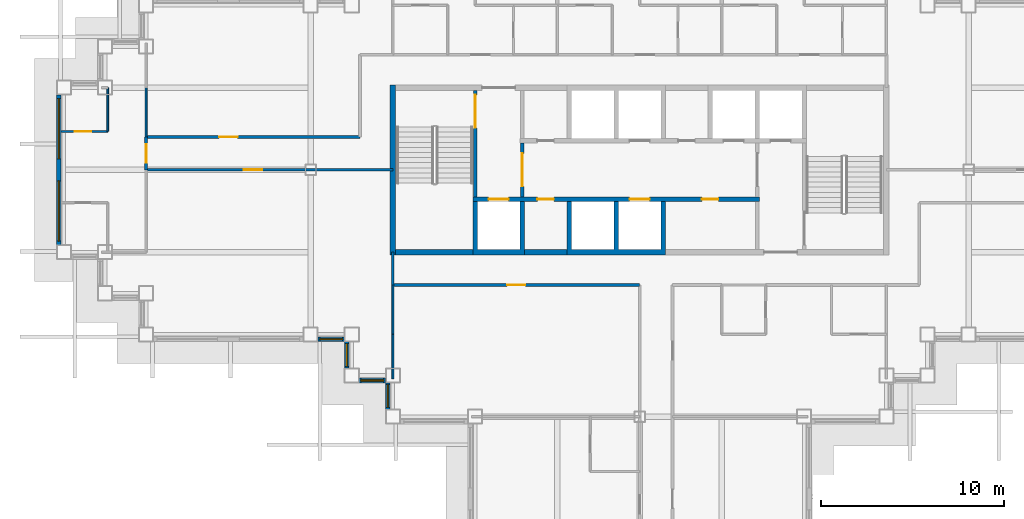
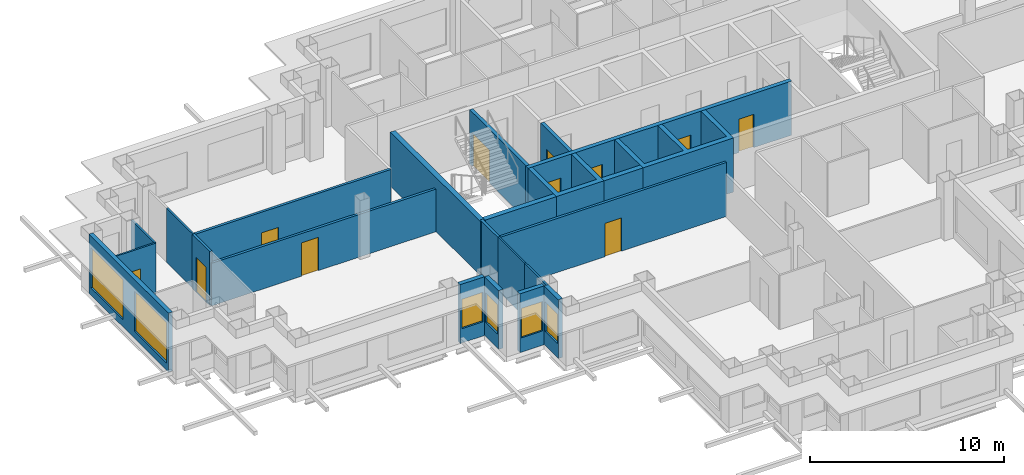
# One storey, part 4 of 14: 23 walls, 11 doors, 6 windows, 17 openings.
"""IFC4 building model written with IfcOpenShell, lengths in metres."""

import ifcopenshell
import ifcopenshell.guid

model = None  # the IFC model being written
_history = None  # IfcOwnerHistory: only IFC2X3 demands one
_inside = {}  # id of a spatial element -> (the spatial element, [elements in it])
_under = {}  # id of a project, library or spatial element -> (it, [spatial elements below it])
_declared = {}  # id of a project -> (the project, [libraries it declares])
_typed = {}  # id of a type object -> (the type object, [elements of that type])
_made_of = {}  # id of a material, layer set ... -> (it, [elements and type objects made of it])


def new_model(schema):
    """Start an empty IFC model of exactly this schema.

    Asked for "IFC4X3", IfcOpenShell would pick the latest addendum, in which some entities
    have other attributes; the version numbers below select the first issue.
    IFC2X3 requires an IfcOwnerHistory on every rooted entity: one is made here for all.
    """
    global model, _history
    if schema == "IFC4X3":
        model = ifcopenshell.file(schema_version=(4, 3, 0, 0))
    else:
        model = ifcopenshell.file(schema=schema)
    _inside.clear()
    _under.clear()
    _declared.clear()
    _typed.clear()
    _made_of.clear()
    _history = None
    if model.schema == "IFC2X3":
        org = make("IfcOrganization", Name="unknown")
        user = make(
            "IfcPersonAndOrganization",
            ThePerson=make("IfcPerson", FamilyName="unknown"),
            TheOrganization=org,
        )
        app = make(
            "IfcApplication",
            ApplicationDeveloper=org,
            Version="unknown",
            ApplicationFullName="unknown",
            ApplicationIdentifier="unknown",
        )
        _history = make(
            "IfcOwnerHistory",
            OwningUser=user,
            OwningApplication=app,
            ChangeAction="ADDED",
            CreationDate=0,
        )
    return model


def make(cls, **values):
    """One entity of the class cls with the attributes given. An attribute that is None is left unset."""
    return model.create_entity(
        cls, **{name: value for name, value in values.items() if value is not None}
    )


def rooted(cls, **values):
    """An entity with a GlobalId (a new one), such as an element, a storey or a relation."""
    return make(cls, GlobalId=ifcopenshell.guid.new(), OwnerHistory=_history, **values)


def si_unit(unit_type, name, prefix=None):
    """IfcSIUnit, for example si_unit("LENGTHUNIT", "METRE", prefix="MILLI")."""
    return make("IfcSIUnit", UnitType=unit_type, Prefix=prefix, Name=name)


def assignment(units):
    """IfcUnitAssignment: the units of a project."""
    return None if units is None else make("IfcUnitAssignment", Units=units)


def point(xyz):
    """IfcCartesianPoint."""
    return None if xyz is None else make("IfcCartesianPoint", Coordinates=xyz)


def direction(xyz):
    """IfcDirection."""
    return None if xyz is None else make("IfcDirection", DirectionRatios=xyz)


def frame(location, z_axis=None, x_axis=None):
    """IfcAxis2Placement3D, a coordinate frame: its origin and axes. An axis left out is left unset."""
    return make(
        "IfcAxis2Placement3D",
        Location=point(location),
        Axis=direction(z_axis),
        RefDirection=direction(x_axis),
    )


def frame_2d(location, x_axis=None):
    """IfcAxis2Placement2D, a coordinate frame in the plane: its origin and x axis."""
    return make(
        "IfcAxis2Placement2D", Location=point(location), RefDirection=direction(x_axis)
    )


def origin():
    """The frame at (0, 0, 0) with its axes left unset."""
    return frame((0.0, 0.0, 0.0))


def place(relative_to, where):
    """IfcLocalPlacement: puts the frame where relative to a parent placement (None: the world)."""
    return make(
        "IfcLocalPlacement", PlacementRelTo=relative_to, RelativePlacement=where
    )


def context(
    kind, dimensions, precision=None, world=None, true_north=None, identifier=None
):
    """IfcGeometricRepresentationContext, for example the 3D "Model" context."""
    return make(
        "IfcGeometricRepresentationContext",
        ContextIdentifier=identifier,
        ContextType=kind,
        CoordinateSpaceDimension=dimensions,
        Precision=precision,
        WorldCoordinateSystem=world,
        TrueNorth=true_north,
    )


def subcontext(parent, identifier, kind, view, scale=None):
    """IfcGeometricRepresentationSubContext, for example "Body" below "Model"."""
    return make(
        "IfcGeometricRepresentationSubContext",
        ContextIdentifier=identifier,
        ContextType=kind,
        ParentContext=parent,
        TargetScale=scale,
        TargetView=view,
    )


def project(units=None, contexts=None):
    """IfcProject with its units and contexts."""
    return rooted(
        "IfcProject",
        Name="project",
        RepresentationContexts=contexts,
        UnitsInContext=assignment(units),
    )


def spatial(cls, under=None, at=None, **own):
    """A site, building, storey or space (cls), placed at a placement, below another one or the project."""
    s = rooted(cls, ObjectPlacement=at, **own)
    if under is not None:
        _under.setdefault(under.id(), (under, []))[1].append(s)
    return s


def polyline(points):
    """IfcPolyline through the points."""
    return make("IfcPolyline", Points=[point(p) for p in points])


def profile(cls, at=None, kind="AREA", **sizes):
    """A parametric profile (cls). Its sizes go by their IFC names, for example OverallWidth=200.0."""
    return make(cls, ProfileType=kind, Position=at, **sizes)


def rectangle(**sizes):
    """IfcRectangleProfileDef."""
    return profile("IfcRectangleProfileDef", **sizes)


def outline(outer, holes=None, kind="AREA"):
    """IfcArbitraryClosedProfileDef: a profile drawn as a closed curve; with holes, ...WithVoids."""
    if holes is None:
        return make("IfcArbitraryClosedProfileDef", ProfileType=kind, OuterCurve=outer)
    return make(
        "IfcArbitraryProfileDefWithVoids",
        ProfileType=kind,
        OuterCurve=outer,
        InnerCurves=holes,
    )


def extrude(swept, where, along, depth):
    """IfcExtrudedAreaSolid: the profile swept, set in the frame where, extruded along a direction by depth."""
    return make(
        "IfcExtrudedAreaSolid",
        SweptArea=swept,
        Position=where,
        ExtrudedDirection=direction(along),
        Depth=depth,
    )


def shape(context_of_items, identifier, shape_type, items):
    """IfcShapeRepresentation: the items that make up one representation, for example the "Body"."""
    return make(
        "IfcShapeRepresentation",
        ContextOfItems=context_of_items,
        RepresentationIdentifier=identifier,
        RepresentationType=shape_type,
        Items=items,
    )


def material(Name=None, Category=None):
    """IfcMaterial."""
    return make("IfcMaterial", Name=Name, Category=Category)


def layer(
    of_material, thickness, ventilated=None, Name=None, Category=None, Priority=None
):
    """IfcMaterialLayer: one layer of a wall or slab, of a material (None: an air gap)."""
    return make(
        "IfcMaterialLayer",
        Material=of_material,
        LayerThickness=thickness,
        IsVentilated=ventilated,
        Name=Name,
        Category=Category,
        Priority=Priority,
    )


def layer_set(layers, Name=None):
    """IfcMaterialLayerSet."""
    return make("IfcMaterialLayerSet", MaterialLayers=layers, LayerSetName=Name)


def made_of(thing, what):
    """Note that an element or type object is made of a material, layer set ...; save() writes the relation."""
    if what is not None:
        _made_of.setdefault(what.id(), (what, []))[1].append(thing)
    return thing


def type_object(cls, material=None, **own):
    """A type object (cls), such as IfcWallType, which elements share."""
    return made_of(rooted(cls, **own), material)


def element(
    cls,
    number,
    at=None,
    inside=None,
    cuts=None,
    type_object=None,
    material=None,
    context=None,
    identifier="Body",
    shape_type=None,
    held_by="IfcProductDefinitionShape",
    body=None,
    shapes=None,
    **own,
):
    """One element of the class cls, such as IfcWall. Its Tag is "e" and its number.

    at: its placement. inside: the storey or other place that contains it. cuts: it is an
    opening in that element (IfcRelVoidsElement). A single representation is given by context,
    identifier, shape_type and body (its items); several are given by shapes. held_by: the class
    of the entity that holds the representations. save() writes the other relations.
    """
    e = rooted(cls, Tag="e%d" % number, ObjectPlacement=at, **own)
    if body is not None:
        shapes = [shape(context, identifier, shape_type, body)]
    if shapes is not None:
        e.Representation = make(held_by, Representations=shapes)
    if inside is not None:
        _inside.setdefault(inside.id(), (inside, []))[1].append(e)
    if cuts is not None:
        rooted(
            "IfcRelVoidsElement", RelatingBuildingElement=cuts, RelatedOpeningElement=e
        )
    if type_object is not None:
        _typed.setdefault(type_object.id(), (type_object, []))[1].append(e)
    return made_of(e, material)


def fill(opening, filler):
    """IfcRelFillsElement: the door or window that sits in an opening."""
    return rooted(
        "IfcRelFillsElement",
        RelatingOpeningElement=opening,
        RelatedBuildingElement=filler,
    )


def aggregate(whole, parts):
    """IfcRelAggregates: a whole, such as a stair, and the parts it consists of."""
    return rooted("IfcRelAggregates", RelatingObject=whole, RelatedObjects=parts)


def save(model, path):
    """Write the relations noted so far, then the file.

    IfcRelAggregates (storeys below a building ...), IfcRelContainedInSpatialStructure (elements
    in a storey), IfcRelDefinesByType, IfcRelAssociatesMaterial and IfcRelDeclares: one each for
    every whole, place, type object, material and project.
    """
    for whole, parts in _under.values():
        aggregate(whole, parts)
    for where, things in _inside.values():
        rooted(
            "IfcRelContainedInSpatialStructure",
            RelatedElements=things,
            RelatingStructure=where,
        )
    for kind, things in _typed.values():
        rooted("IfcRelDefinesByType", RelatedObjects=things, RelatingType=kind)
    for what, things in _made_of.values():
        rooted("IfcRelAssociatesMaterial", RelatedObjects=things, RelatingMaterial=what)
    for by, libraries in _declared.values():
        rooted("IfcRelDeclares", RelatingContext=by, RelatedDefinitions=libraries)
    model.write(path)


model = new_model("IFC4")

# Units and contexts
model_context = context("Model", 3, precision=1e-05, world=origin(), true_north=direction((0.0, 1.0)))
body_context = subcontext(model_context, "Body", "Model", "MODEL_VIEW")
ifc_project = project(units=[si_unit("LENGTHUNIT", "METRE"), si_unit("AREAUNIT", "SQUARE_METRE"), si_unit("VOLUMEUNIT", "CUBIC_METRE"), si_unit("PLANEANGLEUNIT", "RADIAN"), si_unit("MASSUNIT", "GRAM", prefix="KILO")], contexts=[model_context])

# Site, building, storey
site_placement = place(None, origin())
site = spatial("IfcSite", under=ifc_project, at=site_placement, CompositionType="ELEMENT")
building_placement = place(site_placement, origin())
building = spatial("IfcBuilding", under=site, at=building_placement, Name="Caravel Reach Hotel and Residences", CompositionType="ELEMENT")
storey_placement = place(building_placement, frame((0.0, 0.0, 161.699951171875)))
storey = spatial("IfcBuildingStorey", under=building, at=storey_placement, Name="L40", CompositionType="ELEMENT", Elevation=161.699951171875)

# Walls
ifc_material_1 = material(Name="Concrete C60", Category="concrete")
ifc_layer_1 = layer(ifc_material_1, 0.300048828125)
ifc_layer_set_1 = layer_set([ifc_layer_1], Name="Core wall 300 mm EI 120")
wall_type_1 = type_object("IfcWallType", Name="Core wall 300 mm EI 120", PredefinedType="SHEAR", material=ifc_layer_set_1)
wall_1_placement = place(storey_placement, frame((18.14990234375, 22.5, 0.0), z_axis=(0.0, 0.0, 1.0), x_axis=(1.0, 0.0, 0.0)))
element("IfcWall", 1, at=wall_1_placement, inside=storey, type_object=wall_type_1, Name="L40 core wall S1", PredefinedType="SHEAR", context=body_context, shape_type="SweptSolid", body=[
    extrude(rectangle(XDim=4.22509765625, YDim=0.300048828125, at=frame_2d((2.112548828125, 0.0))), origin(), (0.0, 0.0, 1.0), 3.400146484375),
])
wall_2_placement = place(storey_placement, frame((25.196533203125, 22.5, 0.0), z_axis=(0.0, 0.0, 1.0), x_axis=(1.0, 0.0, 0.0)))
element("IfcWall", 2, at=wall_2_placement, inside=storey, type_object=wall_type_1, Name="L40 core wall S2", PredefinedType="SHEAR", context=body_context, shape_type="SweptSolid", body=[
    extrude(rectangle(XDim=2.3212890625, YDim=0.300048828125, at=frame_2d((1.16064453125, 0.0))), origin(), (0.0, 0.0, 1.0), 3.400146484375),
])
wall_3_placement = place(storey_placement, frame((18.0, 22.35009765625, 0.0), z_axis=(0.0, 0.0, 1.0), x_axis=(0.0, 1.0, 0.0)))
element("IfcWall", 3, at=wall_3_placement, inside=storey, type_object=wall_type_1, Name="L40 core wall W", PredefinedType="SHEAR", context=body_context, shape_type="SweptSolid", body=[
    extrude(rectangle(XDim=9.2998046875, YDim=0.300048828125, at=frame_2d((4.64990234375, 0.0))), origin(), (0.0, 0.0, 1.0), 3.400146484375),
])

# Wall, opening, door
ifc_material_2 = material(Name="Gypsum board on steel stud, fire-rated", Category="steel")
ifc_layer_2 = layer(ifc_material_2, 0.14990234375)
ifc_layer_set_2 = layer_set([ifc_layer_2], Name="Corridor wall 150 mm EI 60")
wall_type_2 = type_object("IfcWallType", Name="Corridor wall 150 mm EI 60", PredefinedType="PARTITIONING", material=ifc_layer_set_2)
wall_4_placement = place(storey_placement, frame((18.0, 20.699951171875, 0.0), z_axis=(0.0, 0.0, 1.0), x_axis=(1.0, 0.0, 0.0)))
wall_4 = element("IfcWall", 4, at=wall_4_placement, inside=storey, type_object=wall_type_2, Name="L40 wall w005", PredefinedType="PARTITIONING", context=body_context, shape_type="SweptSolid", body=[
    extrude(rectangle(XDim=13.5, YDim=0.14990234375, at=frame_2d((6.75, 0.0))), origin(), (0.0, 0.0, 1.0), 3.400146484375),
])
opening_1_placement = place(wall_4_placement, frame((6.25, 0.0, 0.0)))
opening_1 = element("IfcOpeningElement", 5, at=opening_1_placement, cuts=wall_4, Name="Opening D40-032", PredefinedType="OPENING", context=body_context, shape_type="SweptSolid", body=[
    extrude(rectangle(XDim=1.0, YDim=2.10009765625, at=frame_2d((0.5, 1.050048828125))), frame((0.0, 0.0849609375, 0.0), z_axis=(0.0, -1.0, 0.0), x_axis=(1.0, 0.0, 0.0)), (0.0, 0.0, 1.0), 0.169921875),
])
ifc_material_3 = material(Name="Steel fire door leaf", Category="steel")
door_type_1 = type_object("IfcDoorType", Name="Fire door 1000 x 2100 EI 60", OperationType="SINGLE_SWING_LEFT", PredefinedType="DOOR", material=ifc_material_3)
door_1_placement = place(opening_1_placement, origin())
door_1 = element("IfcDoor", 6, at=door_1_placement, inside=storey, type_object=door_type_1, Name="door D40-032", OperationType="SINGLE_SWING_RIGHT", OverallHeight=2.10009765625, OverallWidth=1.0, PredefinedType="DOOR", context=body_context, shape_type="SweptSolid", body=[
    extrude(rectangle(XDim=1.0, YDim=2.10009765625, at=frame_2d((0.5, 1.050048828125))), frame((0.0, 0.02490234375, 0.0), z_axis=(0.0, -1.0, 0.0), x_axis=(1.0, 0.0, 0.0)), (0.0, 0.0, 1.0), 0.050048828125),
])
fill(opening_1, door_1)

wall_5_placement = place(storey_placement, frame((4.5, 27.0, 0.0), z_axis=(0.0, 0.0, 1.0), x_axis=(1.0, 0.0, 0.0)))
wall_5 = element("IfcWall", 7, at=wall_5_placement, inside=storey, type_object=wall_type_2, Name="L40 wall w008", PredefinedType="PARTITIONING", context=body_context, shape_type="SweptSolid", body=[
    extrude(rectangle(XDim=13.5, YDim=0.14990234375, at=frame_2d((6.75, 0.0))), origin(), (0.0, 0.0, 1.0), 2.679931640625),
])
opening_2_placement = place(wall_5_placement, frame((5.35009765625, 0.0, 0.0)))
opening_2 = element("IfcOpeningElement", 8, at=opening_2_placement, cuts=wall_5, Name="Opening D40-029", PredefinedType="OPENING", context=body_context, shape_type="SweptSolid", body=[
    extrude(rectangle(XDim=1.0, YDim=2.10009765625, at=frame_2d((0.5, 1.050048828125))), frame((0.0, 0.0849609375, 0.0), z_axis=(0.0, -1.0, 0.0), x_axis=(1.0, 0.0, 0.0)), (0.0, 0.0, 1.0), 0.169921875),
])
door_2_placement = place(opening_2_placement, origin())
door_2 = element("IfcDoor", 9, at=door_2_placement, inside=storey, type_object=door_type_1, Name="door D40-029", OperationType="SINGLE_SWING_LEFT", OverallHeight=2.10009765625, OverallWidth=1.0, PredefinedType="DOOR", context=body_context, shape_type="SweptSolid", body=[
    extrude(rectangle(XDim=1.0, YDim=2.10009765625, at=frame_2d((0.5, 1.050048828125))), frame((0.0, 0.02490234375, 0.0), z_axis=(0.0, -1.0, 0.0), x_axis=(1.0, 0.0, 0.0)), (0.0, 0.0, 1.0), 0.050048828125),
])
fill(opening_2, door_2)

wall_6_placement = place(storey_placement, frame((4.5, 28.800048828125, 0.0), z_axis=(0.0, 0.0, 1.0), x_axis=(1.0, 0.0, 0.0)))
wall_6 = element("IfcWall", 10, at=wall_6_placement, inside=storey, type_object=wall_type_2, Name="L40 wall w010", PredefinedType="PARTITIONING", context=body_context, shape_type="SweptSolid", body=[
    extrude(rectangle(XDim=11.698974609375, YDim=0.14990234375, at=frame_2d((5.849609375, 0.0))), origin(), (0.0, 0.0, 1.0), 3.400146484375),
])
opening_3_placement = place(wall_6_placement, frame((4.0, 0.0, 0.0)))
opening_3 = element("IfcOpeningElement", 11, at=opening_3_placement, cuts=wall_6, Name="Opening D40-028", PredefinedType="OPENING", context=body_context, shape_type="SweptSolid", body=[
    extrude(rectangle(XDim=1.0, YDim=2.10009765625, at=frame_2d((0.5, 1.050048828125))), frame((0.0, 0.0849609375, 0.0), z_axis=(0.0, -1.0, 0.0), x_axis=(1.0, 0.0, 0.0)), (0.0, 0.0, 1.0), 0.169921875),
])
door_3_placement = place(opening_3_placement, origin())
door_3 = element("IfcDoor", 12, at=door_3_placement, inside=storey, type_object=door_type_1, Name="door D40-028", OperationType="SINGLE_SWING_RIGHT", OverallHeight=2.10009765625, OverallWidth=1.0, PredefinedType="DOOR", context=body_context, shape_type="SweptSolid", body=[
    extrude(rectangle(XDim=1.0, YDim=2.10009765625, at=frame_2d((0.5, 1.050048828125))), frame((0.0, 0.02490234375, 0.0), z_axis=(0.0, -1.0, 0.0), x_axis=(1.0, 0.0, 0.0)), (0.0, 0.0, 1.0), 0.050048828125),
])
fill(opening_3, door_3)

# Wall
wall_7_placement = place(storey_placement, frame((18.0, 20.699951171875, 0.0), z_axis=(0.0, 0.0, 1.0), x_axis=(0.0, 1.0, 0.0)))
element("IfcWall", 13, at=wall_7_placement, inside=storey, type_object=wall_type_2, Name="L40 wall w021", PredefinedType="PARTITIONING", context=body_context, shape_type="SweptSolid", body=[
    extrude(rectangle(XDim=1.800048828125, YDim=0.14990234375, at=frame_2d((0.89990234375, 0.0))), origin(), (0.0, 0.0, 1.0), 3.400146484375),
])

# Wall, opening, door
wall_8_placement = place(storey_placement, frame((4.5, 27.0, 0.0), z_axis=(0.0, 0.0, 1.0), x_axis=(0.0, 1.0, 0.0)))
wall_8 = element("IfcWall", 14, at=wall_8_placement, inside=storey, type_object=wall_type_2, Name="L40 wall w027", PredefinedType="PARTITIONING", context=body_context, shape_type="SweptSolid", body=[
    extrude(rectangle(XDim=1.800048828125, YDim=0.14990234375, at=frame_2d((0.89990234375, 0.0))), origin(), (0.0, 0.0, 1.0), 3.400146484375),
])
opening_4_placement = place(wall_8_placement, frame((0.39990234375, 0.0, 0.0)))
opening_4 = element("IfcOpeningElement", 15, at=opening_4_placement, cuts=wall_8, Name="Opening D40-040", PredefinedType="OPENING", context=body_context, shape_type="SweptSolid", body=[
    extrude(rectangle(XDim=1.0, YDim=2.199951171875, at=frame_2d((0.5, 1.10009765625))), frame((0.0, 0.0849609375, 0.0), z_axis=(0.0, -1.0, 0.0), x_axis=(1.0, 0.0, 0.0)), (0.0, 0.0, 1.0), 0.169921875),
])
ifc_material_4 = material(Name="Steel fire door leaf", Category="steel")
door_type_2 = type_object("IfcDoorType", Name="Flat entrance door 1000 x 2200 EI 60", OperationType="SINGLE_SWING_LEFT", PredefinedType="DOOR", material=ifc_material_4)
door_4_placement = place(opening_4_placement, origin())
door_4 = element("IfcDoor", 16, at=door_4_placement, inside=storey, type_object=door_type_2, Name="door D40-040", OperationType="SINGLE_SWING_RIGHT", OverallHeight=2.199951171875, OverallWidth=1.0, PredefinedType="DOOR", context=body_context, shape_type="SweptSolid", body=[
    extrude(rectangle(XDim=1.0, YDim=2.199951171875, at=frame_2d((0.5, 1.10009765625))), frame((0.0, 0.02490234375, 0.0), z_axis=(0.0, -1.0, 0.0), x_axis=(1.0, 0.0, 0.0)), (0.0, 0.0, 1.0), 0.050048828125),
])
fill(opening_4, door_4)

# Wall, openings, windows
ifc_material_5 = material(Name="Insulated rainscreen wall, aluminium cladding", Category="aluminium")
ifc_layer_3 = layer(ifc_material_5, 0.25)
ifc_layer_set_3 = layer_set([ifc_layer_3], Name="EW1 Tower rainscreen wall")
wall_type_3 = type_object("IfcWallType", Name="EW1 Tower rainscreen wall", PredefinedType="SOLIDWALL", material=ifc_layer_set_3)
wall_9_placement = place(storey_placement, frame((-0.27490234375, 31.10009765625, 0.0), z_axis=(0.0, 0.0, 1.0), x_axis=(0.0, -1.0, 0.0)))
wall_9 = element("IfcWall", 17, at=wall_9_placement, inside=storey, type_object=wall_type_3, Name="External wall L40 W38.1", PredefinedType="SOLIDWALL", context=body_context, shape_type="SweptSolid", body=[
    extrude(rectangle(XDim=8.2001953125, YDim=0.25, at=frame_2d((4.10009765625, 0.0))), origin(), (0.0, 0.0, 1.0), 3.699951171875),
])
opening_5_placement = place(wall_9_placement, frame((0.199951171875, 0.0, 0.449951171875)))
opening_5 = element("IfcOpeningElement", 18, at=opening_5_placement, cuts=wall_9, Name="Opening WN14", PredefinedType="OPENING", context=body_context, shape_type="SweptSolid", body=[
    extrude(rectangle(XDim=3.300048828125, YDim=2.530029296875, at=frame_2d((1.64990234375, 1.26513671875))), frame((0.0, 0.135009765625, 0.0), z_axis=(0.0, -1.0, 0.0), x_axis=(1.0, 0.0, 0.0)), (0.0, 0.0, 1.0), 0.27001953125),
])
opening_6_placement = place(wall_9_placement, frame((4.699951171875, 0.0, 0.449951171875)))
opening_6 = element("IfcOpeningElement", 19, at=opening_6_placement, cuts=wall_9, Name="Opening WN14", PredefinedType="OPENING", context=body_context, shape_type="SweptSolid", body=[
    extrude(rectangle(XDim=3.300048828125, YDim=2.530029296875, at=frame_2d((1.64990234375, 1.26513671875))), frame((0.0, 0.135009765625, 0.0), z_axis=(0.0, -1.0, 0.0), x_axis=(1.0, 0.0, 0.0)), (0.0, 0.0, 1.0), 0.27001953125),
])
ifc_material_6 = material(Name="Dark low-e glazing in black aluminium frame", Category="aluminium")
window_type_1 = type_object("IfcWindowType", Name="Residence living window 3300 x 2530", PartitioningType="SINGLE_PANEL", PredefinedType="WINDOW", material=ifc_material_6)
window_1_placement = place(opening_5_placement, origin())
window_1 = element("IfcWindow", 20, at=window_1_placement, inside=storey, type_object=window_type_1, Name="Window L40 W38.1.1", OverallHeight=2.530029296875, OverallWidth=3.300048828125, PartitioningType="SINGLE_PANEL", PredefinedType="WINDOW", context=body_context, shape_type="SweptSolid", body=[
    extrude(rectangle(XDim=3.300048828125, YDim=2.530029296875, at=frame_2d((1.64990234375, 1.26513671875))), frame((0.0, 0.030029296875, 0.0), z_axis=(0.0, -1.0, 0.0), x_axis=(1.0, 0.0, 0.0)), (0.0, 0.0, 1.0), 0.06005859375),
])
fill(opening_5, window_1)
window_2_placement = place(opening_6_placement, origin())
window_2 = element("IfcWindow", 21, at=window_2_placement, inside=storey, type_object=window_type_1, Name="Window L40 W38.1.2", OverallHeight=2.530029296875, OverallWidth=3.300048828125, PartitioningType="SINGLE_PANEL", PredefinedType="WINDOW", context=body_context, shape_type="SweptSolid", body=[
    extrude(rectangle(XDim=3.300048828125, YDim=2.530029296875, at=frame_2d((1.64990234375, 1.26513671875))), frame((0.0, 0.030029296875, 0.0), z_axis=(0.0, -1.0, 0.0), x_axis=(1.0, 0.0, 0.0)), (0.0, 0.0, 1.0), 0.06005859375),
])
fill(opening_6, window_2)

# Wall, opening, window
wall_10_placement = place(storey_placement, frame((13.89990234375, 17.72509765625, 0.0), z_axis=(0.0, 0.0, 1.0), x_axis=(1.0, 0.0, 0.0)))
wall_10 = element("IfcWall", 22, at=wall_10_placement, inside=storey, type_object=wall_type_3, Name="External wall L40 S43.2", PredefinedType="SOLIDWALL", context=body_context, shape_type="SweptSolid", body=[
    extrude(rectangle(XDim=1.4501953125, YDim=0.25, at=frame_2d((0.72509765625, 0.0))), origin(), (0.0, 0.0, 1.0), 3.699951171875),
])
opening_7_placement = place(wall_10_placement, frame((0.10009765625, 0.0, 0.89990234375)))
opening_7 = element("IfcOpeningElement", 23, at=opening_7_placement, cuts=wall_10, Name="Opening WN13", PredefinedType="OPENING", context=body_context, shape_type="SweptSolid", body=[
    extrude(rectangle(XDim=1.25, YDim=1.85009765625, at=frame_2d((0.625, 0.925048828125))), frame((0.0, 0.135009765625, 0.0), z_axis=(0.0, -1.0, 0.0), x_axis=(1.0, 0.0, 0.0)), (0.0, 0.0, 1.0), 0.27001953125),
])
ifc_material_7 = material(Name="Dark low-e glazing in black aluminium frame", Category="aluminium")
window_type_2 = type_object("IfcWindowType", Name="Residence bedroom window 1250 x 1850", PartitioningType="SINGLE_PANEL", PredefinedType="WINDOW", material=ifc_material_7)
window_3_placement = place(opening_7_placement, origin())
window_3 = element("IfcWindow", 24, at=window_3_placement, inside=storey, type_object=window_type_2, Name="Window L40 S43.2.1", OverallHeight=1.85009765625, OverallWidth=1.25, PartitioningType="SINGLE_PANEL", PredefinedType="WINDOW", context=body_context, shape_type="SweptSolid", body=[
    extrude(rectangle(XDim=1.25, YDim=1.85009765625, at=frame_2d((0.625, 0.925048828125))), frame((0.0, 0.030029296875, 0.0), z_axis=(0.0, -1.0, 0.0), x_axis=(1.0, 0.0, 0.0)), (0.0, 0.0, 1.0), 0.06005859375),
])
fill(opening_7, window_3)

wall_11_placement = place(storey_placement, frame((15.47509765625, 17.60009765625, 0.0), z_axis=(0.0, 0.0, 1.0), x_axis=(0.0, -1.0, 0.0)))
wall_11 = element("IfcWall", 25, at=wall_11_placement, inside=storey, type_object=wall_type_3, Name="External wall L40 W44.1", PredefinedType="SOLIDWALL", context=body_context, shape_type="SweptSolid", body=[
    extrude(rectangle(XDim=1.4501953125, YDim=0.25, at=frame_2d((0.72509765625, 0.0))), origin(), (0.0, 0.0, 1.0), 3.699951171875),
])
opening_8_placement = place(wall_11_placement, frame((0.10009765625, 0.0, 0.89990234375)))
opening_8 = element("IfcOpeningElement", 26, at=opening_8_placement, cuts=wall_11, Name="Opening WN13", PredefinedType="OPENING", context=body_context, shape_type="SweptSolid", body=[
    extrude(rectangle(XDim=1.25, YDim=1.85009765625, at=frame_2d((0.625, 0.925048828125))), frame((0.0, 0.135009765625, 0.0), z_axis=(0.0, -1.0, 0.0), x_axis=(1.0, 0.0, 0.0)), (0.0, 0.0, 1.0), 0.27001953125),
])
window_4_placement = place(opening_8_placement, origin())
window_4 = element("IfcWindow", 27, at=window_4_placement, inside=storey, type_object=window_type_2, Name="Window L40 W44.1.1", OverallHeight=1.85009765625, OverallWidth=1.25, PartitioningType="SINGLE_PANEL", PredefinedType="WINDOW", context=body_context, shape_type="SweptSolid", body=[
    extrude(rectangle(XDim=1.25, YDim=1.85009765625, at=frame_2d((0.625, 0.925048828125))), frame((0.0, 0.030029296875, 0.0), z_axis=(0.0, -1.0, 0.0), x_axis=(1.0, 0.0, 0.0)), (0.0, 0.0, 1.0), 0.06005859375),
])
fill(opening_8, window_4)

wall_12_placement = place(storey_placement, frame((16.14990234375, 15.47509765625, 0.0), z_axis=(0.0, 0.0, 1.0), x_axis=(1.0, 0.0, 0.0)))
wall_12 = element("IfcWall", 28, at=wall_12_placement, inside=storey, type_object=wall_type_3, Name="External wall L40 S45.1", PredefinedType="SOLIDWALL", context=body_context, shape_type="SweptSolid", body=[
    extrude(rectangle(XDim=1.4501953125, YDim=0.25, at=frame_2d((0.72509765625, 0.0))), origin(), (0.0, 0.0, 1.0), 3.699951171875),
])
opening_9_placement = place(wall_12_placement, frame((0.10009765625, 0.0, 0.89990234375)))
opening_9 = element("IfcOpeningElement", 29, at=opening_9_placement, cuts=wall_12, Name="Opening WN13", PredefinedType="OPENING", context=body_context, shape_type="SweptSolid", body=[
    extrude(rectangle(XDim=1.25, YDim=1.85009765625, at=frame_2d((0.625, 0.925048828125))), frame((0.0, 0.135009765625, 0.0), z_axis=(0.0, -1.0, 0.0), x_axis=(1.0, 0.0, 0.0)), (0.0, 0.0, 1.0), 0.27001953125),
])
window_5_placement = place(opening_9_placement, origin())
window_5 = element("IfcWindow", 30, at=window_5_placement, inside=storey, type_object=window_type_2, Name="Window L40 S45.1.1", OverallHeight=1.85009765625, OverallWidth=1.25, PartitioningType="SINGLE_PANEL", PredefinedType="WINDOW", context=body_context, shape_type="SweptSolid", body=[
    extrude(rectangle(XDim=1.25, YDim=1.85009765625, at=frame_2d((0.625, 0.925048828125))), frame((0.0, 0.030029296875, 0.0), z_axis=(0.0, -1.0, 0.0), x_axis=(1.0, 0.0, 0.0)), (0.0, 0.0, 1.0), 0.06005859375),
])
fill(opening_9, window_5)

wall_13_placement = place(storey_placement, frame((17.72509765625, 15.35009765625, 0.0), z_axis=(0.0, 0.0, 1.0), x_axis=(0.0, -1.0, 0.0)))
wall_13 = element("IfcWall", 31, at=wall_13_placement, inside=storey, type_object=wall_type_3, Name="External wall L40 W46.1", PredefinedType="SOLIDWALL", context=body_context, shape_type="SweptSolid", body=[
    extrude(rectangle(XDim=1.4501953125, YDim=0.25, at=frame_2d((0.72509765625, 0.0))), origin(), (0.0, 0.0, 1.0), 3.699951171875),
])
opening_10_placement = place(wall_13_placement, frame((0.10009765625, 0.0, 0.89990234375)))
opening_10 = element("IfcOpeningElement", 32, at=opening_10_placement, cuts=wall_13, Name="Opening WN13", PredefinedType="OPENING", context=body_context, shape_type="SweptSolid", body=[
    extrude(rectangle(XDim=1.25, YDim=1.85009765625, at=frame_2d((0.625, 0.925048828125))), frame((0.0, 0.135009765625, 0.0), z_axis=(0.0, -1.0, 0.0), x_axis=(1.0, 0.0, 0.0)), (0.0, 0.0, 1.0), 0.27001953125),
])
window_6_placement = place(opening_10_placement, origin())
window_6 = element("IfcWindow", 33, at=window_6_placement, inside=storey, type_object=window_type_2, Name="Window L40 W46.1.1", OverallHeight=1.85009765625, OverallWidth=1.25, PartitioningType="SINGLE_PANEL", PredefinedType="WINDOW", context=body_context, shape_type="SweptSolid", body=[
    extrude(rectangle(XDim=1.25, YDim=1.85009765625, at=frame_2d((0.625, 0.925048828125))), frame((0.0, 0.030029296875, 0.0), z_axis=(0.0, -1.0, 0.0), x_axis=(1.0, 0.0, 0.0)), (0.0, 0.0, 1.0), 0.06005859375),
])
fill(opening_10, window_6)

# Wall, opening, door
ifc_material_8 = material(Name="Autoclaved aerated block wall")
ifc_layer_4 = layer(ifc_material_8, 0.199951171875)
ifc_layer_set_4 = layer_set([ifc_layer_4], Name="Fire lobby wall 200 mm EI 120")
wall_type_4 = type_object("IfcWallType", Name="Fire lobby wall 200 mm EI 120", PredefinedType="PARTITIONING", material=ifc_layer_set_4)
wall_14_placement = place(storey_placement, frame((25.071533203125, 25.52490234375, 0.0), z_axis=(0.0, 0.0, 1.0), x_axis=(0.0, 1.0, 0.0)))
wall_14 = element("IfcWall", 34, at=wall_14_placement, inside=storey, type_object=wall_type_4, Name="L40 lobby W wall", PredefinedType="PARTITIONING", context=body_context, shape_type="SweptSolid", body=[
    extrude(rectangle(XDim=2.9501953125, YDim=0.199951171875, at=frame_2d((1.47509765625, 0.0))), origin(), (0.0, 0.0, 1.0), 3.400146484375),
])
opening_11_placement = place(wall_14_placement, frame((0.574951171875, 0.0, 0.0)))
opening_11 = element("IfcOpeningElement", 35, at=opening_11_placement, cuts=wall_14, Name="Opening D40-012", PredefinedType="OPENING", context=body_context, shape_type="SweptSolid", body=[
    extrude(rectangle(XDim=1.800048828125, YDim=2.10009765625, at=frame_2d((0.89990234375, 1.050048828125))), frame((0.0, 0.10986328125, 0.0), z_axis=(0.0, -1.0, 0.0), x_axis=(1.0, 0.0, 0.0)), (0.0, 0.0, 1.0), 0.219970703125),
])
ifc_material_9 = material(Name="Steel fire door leaf", Category="steel")
door_type_3 = type_object("IfcDoorType", Name="Fire lobby door pair 1800 x 2100 EI 90", OperationType="DOUBLE_DOOR_SINGLE_SWING", PredefinedType="DOOR", material=ifc_material_9)
door_5_placement = place(opening_11_placement, origin())
door_5 = element("IfcDoor", 36, at=door_5_placement, inside=storey, type_object=door_type_3, Name="lobby W door pair", OperationType="DOUBLE_DOOR_SINGLE_SWING", OverallHeight=2.10009765625, OverallWidth=1.800048828125, PredefinedType="DOOR", context=body_context, shape_type="SweptSolid", body=[
    extrude(rectangle(XDim=1.800048828125, YDim=2.10009765625, at=frame_2d((0.89990234375, 1.050048828125))), frame((0.0, 0.02490234375, 0.0), z_axis=(0.0, -1.0, 0.0), x_axis=(1.0, 0.0, 0.0)), (0.0, 0.0, 1.0), 0.050048828125),
])
fill(opening_11, door_5)

ifc_material_10 = material(Name="Gypsum board on steel stud", Category="steel")
ifc_layer_5 = layer(ifc_material_10, 0.10009765625)
ifc_layer_set_5 = layer_set([ifc_layer_5], Name="Partition 100 mm")
wall_type_5 = type_object("IfcWallType", Name="Partition 100 mm", PredefinedType="PARTITIONING", material=ifc_layer_set_5)
wall_15_placement = place(storey_placement, frame((-0.14990234375, 29.10009765625, 0.0), z_axis=(0.0, 0.0, 1.0), x_axis=(1.0, 0.0, 0.0)))
wall_15 = element("IfcWall", 37, at=wall_15_placement, inside=storey, type_object=wall_type_5, Name="L40 wall w041", PredefinedType="PARTITIONING", context=body_context, shape_type="SweptSolid", body=[
    extrude(rectangle(XDim=2.5498046875, YDim=0.10009765625, at=frame_2d((1.27490234375, 0.0))), origin(), (0.0, 0.0, 1.0), 3.400146484375),
])
opening_12_placement = place(wall_15_placement, frame((0.75, 0.0, 0.0)))
opening_12 = element("IfcOpeningElement", 38, at=opening_12_placement, cuts=wall_15, Name="Opening D40-042", PredefinedType="OPENING", context=body_context, shape_type="SweptSolid", body=[
    extrude(rectangle(XDim=0.89990234375, YDim=2.10009765625, at=frame_2d((0.449951171875, 1.050048828125))), frame((0.0, 0.06005859375, 0.0), z_axis=(0.0, -1.0, 0.0), x_axis=(1.0, 0.0, 0.0)), (0.0, 0.0, 1.0), 0.1201171875),
])
ifc_material_11 = material(Name="Timber and steel door leaf", Category="steel")
door_type_4 = type_object("IfcDoorType", Name="Door 900 x 2100 timber", OperationType="SINGLE_SWING_LEFT", PredefinedType="DOOR", material=ifc_material_11)
door_6_placement = place(opening_12_placement, origin())
door_6 = element("IfcDoor", 39, at=door_6_placement, inside=storey, type_object=door_type_4, Name="door D40-042", OperationType="SINGLE_SWING_RIGHT", OverallHeight=2.10009765625, OverallWidth=0.89990234375, PredefinedType="DOOR", context=body_context, shape_type="SweptSolid", body=[
    extrude(rectangle(XDim=0.89990234375, YDim=2.10009765625, at=frame_2d((0.449951171875, 1.050048828125))), frame((0.0, 0.02490234375, 0.0), z_axis=(0.0, -1.0, 0.0), x_axis=(1.0, 0.0, 0.0)), (0.0, 0.0, 1.0), 0.050048828125),
])
fill(opening_12, door_6)

# Walls
wall_16_placement = place(storey_placement, frame((18.0, 15.56005859375, 0.0), z_axis=(0.0, 0.0, 1.0), x_axis=(0.0, 1.0, 0.0)))
element("IfcWall", 40, at=wall_16_placement, inside=storey, type_object=wall_type_5, Name="L40 wall w053", PredefinedType="PARTITIONING", context=body_context, shape_type="SweptSolid", body=[
    extrude(rectangle(XDim=2.43896484375, YDim=0.10009765625, at=frame_2d((1.219482421875, 0.0))), origin(), (0.0, 0.0, 1.0), 3.400146484375),
])
wall_17_placement = place(storey_placement, frame((18.0, 18.0, 0.0), z_axis=(0.0, 0.0, 1.0), x_axis=(0.0, 1.0, 0.0)))
element("IfcWall", 41, at=wall_17_placement, inside=storey, type_object=wall_type_5, Name="L40 wall w054", PredefinedType="PARTITIONING", context=body_context, shape_type="SweptSolid", body=[
    extrude(rectangle(XDim=2.699951171875, YDim=0.10009765625, at=frame_2d((1.35009765625, 0.0))), origin(), (0.0, 0.0, 1.0), 3.400146484375),
])
wall_18_placement = place(storey_placement, frame((2.39990234375, 29.10009765625, 0.0), z_axis=(0.0, 0.0, 1.0), x_axis=(0.0, 1.0, 0.0)))
element("IfcWall", 42, at=wall_18_placement, inside=storey, type_object=wall_type_5, Name="L40 wall w055", PredefinedType="PARTITIONING", context=body_context, shape_type="SweptSolid", body=[
    extrude(rectangle(XDim=2.39990234375, YDim=0.10009765625, at=frame_2d((1.199951171875, 0.0))), origin(), (0.0, 0.0, 1.0), 3.400146484375),
])
wall_19_placement = place(storey_placement, frame((4.5, 28.800048828125, 0.0), z_axis=(0.0, 0.0, 1.0), x_axis=(0.0, 1.0, 0.0)))
element("IfcWall", 43, at=wall_19_placement, inside=storey, type_object=wall_type_5, Name="L40 wall w064", PredefinedType="PARTITIONING", context=body_context, shape_type="SweptSolid", body=[
    extrude(rectangle(XDim=2.699951171875, YDim=0.10009765625, at=frame_2d((1.35009765625, 0.0))), origin(), (0.0, 0.0, 1.0), 3.400146484375),
])
ifc_material_12 = material(Name="Concrete C60", Category="concrete")
ifc_layer_6 = layer(ifc_material_12, 0.25)
ifc_layer_set_6 = layer_set([ifc_layer_6], Name="Shaft wall 250 mm EI 120")
wall_type_6 = type_object("IfcWallType", Name="Shaft wall 250 mm EI 120", PredefinedType="SHEAR", material=ifc_layer_set_6)
wall_20_placement = place(storey_placement, origin())
element("IfcWall", 44, at=wall_20_placement, inside=storey, type_object=wall_type_6, Name="L40 lift shaft wall S1", PredefinedType="SHEAR", context=body_context, shape_type="SweptSolid", body=[
    extrude(outline(polyline([(22.375, 22.35009765625), (25.196533203125, 22.35009765625), (25.196533203125, 25.27490234375), (24.946533203125, 25.27490234375), (24.946533203125, 22.64990234375), (22.625, 22.64990234375), (22.625, 25.27490234375), (22.375, 25.27490234375), (22.375, 22.35009765625)])), origin(), (0.0, 0.0, 1.0), 3.400146484375),
])
wall_21_placement = place(storey_placement, origin())
element("IfcWall", 45, at=wall_21_placement, inside=storey, type_object=wall_type_6, Name="L40 lift shaft wall S2", PredefinedType="SHEAR", context=body_context, shape_type="SweptSolid", body=[
    extrude(outline(polyline([(27.517822265625, 22.35009765625), (32.91064453125, 22.35009765625), (32.91064453125, 25.27490234375), (32.66064453125, 25.27490234375), (32.66064453125, 22.64990234375), (30.33935546875, 22.64990234375), (30.33935546875, 25.27490234375), (30.08935546875, 25.27490234375), (30.08935546875, 22.64990234375), (27.767822265625, 22.64990234375), (27.767822265625, 25.27490234375), (27.517822265625, 25.27490234375), (27.517822265625, 22.35009765625)])), origin(), (0.0, 0.0, 1.0), 3.400146484375),
])

# Wall, openings, doors
wall_22_placement = place(storey_placement, frame((22.375, 25.39990234375, 0.0), z_axis=(0.0, 0.0, 1.0), x_axis=(1.0, 0.0, 0.0)))
wall_22 = element("IfcWall", 46, at=wall_22_placement, inside=storey, type_object=wall_type_6, Name="L40 lobby wall S1", PredefinedType="SHEAR", context=body_context, shape_type="SweptSolid", body=[
    extrude(rectangle(XDim=15.678466796875, YDim=0.25, at=frame_2d((7.83935546875, 0.0))), origin(), (0.0, 0.0, 1.0), 3.400146484375),
])
opening_13_placement = place(wall_22_placement, frame((8.574951171875, 0.0, 0.0)))
opening_13 = element("IfcOpeningElement", 47, at=opening_13_placement, cuts=wall_22, Name="Opening D40-001", PredefinedType="OPENING", context=body_context, shape_type="SweptSolid", body=[
    extrude(rectangle(XDim=1.10009765625, YDim=2.10009765625, at=frame_2d((0.550048828125, 1.050048828125))), frame((0.0, 0.135009765625, 0.0), z_axis=(0.0, -1.0, 0.0), x_axis=(1.0, 0.0, 0.0)), (0.0, 0.0, 1.0), 0.27001953125),
])
opening_14_placement = place(wall_22_placement, frame((0.860595703125, 0.0, 0.0)))
opening_14 = element("IfcOpeningElement", 48, at=opening_14_placement, cuts=wall_22, Name="Opening D40-004", PredefinedType="OPENING", context=body_context, shape_type="SweptSolid", body=[
    extrude(rectangle(XDim=1.10009765625, YDim=2.10009765625, at=frame_2d((0.550048828125, 1.050048828125))), frame((0.0, 0.135009765625, 0.0), z_axis=(0.0, -1.0, 0.0), x_axis=(1.0, 0.0, 0.0)), (0.0, 0.0, 1.0), 0.27001953125),
])
opening_15_placement = place(wall_22_placement, frame((3.531982421875, 0.0, 0.0)))
opening_15 = element("IfcOpeningElement", 49, at=opening_15_placement, cuts=wall_22, Name="Opening D40-006", PredefinedType="OPENING", context=body_context, shape_type="SweptSolid", body=[
    extrude(rectangle(XDim=0.89990234375, YDim=2.10009765625, at=frame_2d((0.449951171875, 1.050048828125))), frame((0.0, 0.135009765625, 0.0), z_axis=(0.0, -1.0, 0.0), x_axis=(1.0, 0.0, 0.0)), (0.0, 0.0, 1.0), 0.27001953125),
])
opening_16_placement = place(wall_22_placement, frame((12.531982421875, 0.0, 0.0)))
opening_16 = element("IfcOpeningElement", 50, at=opening_16_placement, cuts=wall_22, Name="Opening D40-007", PredefinedType="OPENING", context=body_context, shape_type="SweptSolid", body=[
    extrude(rectangle(XDim=0.89990234375, YDim=2.10009765625, at=frame_2d((0.449951171875, 1.050048828125))), frame((0.0, 0.135009765625, 0.0), z_axis=(0.0, -1.0, 0.0), x_axis=(1.0, 0.0, 0.0)), (0.0, 0.0, 1.0), 0.27001953125),
])
ifc_material_13 = material(Name="Stainless steel landing door", Category="steel")
door_type_5 = type_object("IfcDoorType", Name="Landing door LD 1100 x 2100 sliding", OperationType="DOUBLE_DOOR_SLIDING", PredefinedType="DOOR", material=ifc_material_13)
door_7_placement = place(opening_13_placement, origin())
door_7 = element("IfcDoor", 51, at=door_7_placement, inside=storey, type_object=door_type_5, Name="MP1 landing door", OperationType="DOUBLE_DOOR_SLIDING", OverallHeight=2.10009765625, OverallWidth=1.10009765625, PredefinedType="DOOR", context=body_context, shape_type="SweptSolid", body=[
    extrude(rectangle(XDim=1.10009765625, YDim=2.10009765625, at=frame_2d((0.550048828125, 1.050048828125))), frame((0.0, 0.02490234375, 0.0), z_axis=(0.0, -1.0, 0.0), x_axis=(1.0, 0.0, 0.0)), (0.0, 0.0, 1.0), 0.050048828125),
])
fill(opening_13, door_7)
door_8_placement = place(opening_14_placement, origin())
door_8 = element("IfcDoor", 52, at=door_8_placement, inside=storey, type_object=door_type_5, Name="FL1 landing door", OperationType="DOUBLE_DOOR_SLIDING", OverallHeight=2.10009765625, OverallWidth=1.10009765625, PredefinedType="DOOR", context=body_context, shape_type="SweptSolid", body=[
    extrude(rectangle(XDim=1.10009765625, YDim=2.10009765625, at=frame_2d((0.550048828125, 1.050048828125))), frame((0.0, 0.02490234375, 0.0), z_axis=(0.0, -1.0, 0.0), x_axis=(1.0, 0.0, 0.0)), (0.0, 0.0, 1.0), 0.050048828125),
])
fill(opening_14, door_8)
ifc_material_14 = material(Name="Steel fire door leaf", Category="steel")
door_type_6 = type_object("IfcDoorType", Name="Riser door 900 x 2100 EI 60", OperationType="SINGLE_SWING_LEFT", PredefinedType="DOOR", material=ifc_material_14)
door_9_placement = place(opening_15_placement, origin())
door_9 = element("IfcDoor", 53, at=door_9_placement, inside=storey, type_object=door_type_6, Name="Electrical riser room door", OperationType="SINGLE_SWING_LEFT", OverallHeight=2.10009765625, OverallWidth=0.89990234375, PredefinedType="DOOR", context=body_context, shape_type="SweptSolid", body=[
    extrude(rectangle(XDim=0.89990234375, YDim=2.10009765625, at=frame_2d((0.449951171875, 1.050048828125))), frame((0.0, 0.02490234375, 0.0), z_axis=(0.0, -1.0, 0.0), x_axis=(1.0, 0.0, 0.0)), (0.0, 0.0, 1.0), 0.050048828125),
])
fill(opening_15, door_9)
door_10_placement = place(opening_16_placement, origin())
door_10 = element("IfcDoor", 54, at=door_10_placement, inside=storey, type_object=door_type_6, Name="Comms room door", OperationType="SINGLE_SWING_LEFT", OverallHeight=2.10009765625, OverallWidth=0.89990234375, PredefinedType="DOOR", context=body_context, shape_type="SweptSolid", body=[
    extrude(rectangle(XDim=0.89990234375, YDim=2.10009765625, at=frame_2d((0.449951171875, 1.050048828125))), frame((0.0, 0.02490234375, 0.0), z_axis=(0.0, -1.0, 0.0), x_axis=(1.0, 0.0, 0.0)), (0.0, 0.0, 1.0), 0.050048828125),
])
fill(opening_16, door_10)

# Wall, opening, door
ifc_material_15 = material(Name="Concrete C60", Category="concrete")
ifc_layer_7 = layer(ifc_material_15, 0.199951171875)
ifc_layer_set_7 = layer_set([ifc_layer_7], Name="Stair enclosure wall 200 mm EI 120")
wall_type_7 = type_object("IfcWallType", Name="Stair enclosure wall 200 mm EI 120", PredefinedType="SHEAR", material=ifc_layer_set_7)
wall_23_placement = place(storey_placement, frame((22.5, 31.35009765625, 0.0), z_axis=(0.0, 0.0, 1.0), x_axis=(0.0, -1.0, 0.0)))
wall_23 = element("IfcWall", 55, at=wall_23_placement, inside=storey, type_object=wall_type_7, Name="L40 stair A wall", PredefinedType="SHEAR", context=body_context, shape_type="SweptSolid", body=[
    extrude(rectangle(XDim=5.8251953125, YDim=0.199951171875, at=frame_2d((2.91259765625, 0.0))), origin(), (0.0, 0.0, 1.0), 3.400146484375),
])
opening_17_placement = place(wall_23_placement, frame((0.25, 0.0, 0.0)))
opening_17 = element("IfcOpeningElement", 56, at=opening_17_placement, cuts=wall_23, Name="Opening D40-010", PredefinedType="OPENING", context=body_context, shape_type="SweptSolid", body=[
    extrude(rectangle(XDim=1.800048828125, YDim=2.10009765625, at=frame_2d((0.89990234375, 1.050048828125))), frame((0.0, 0.10986328125, 0.0), z_axis=(0.0, -1.0, 0.0), x_axis=(1.0, 0.0, 0.0)), (0.0, 0.0, 1.0), 0.219970703125),
])
ifc_material_16 = material(Name="Steel fire door leaf", Category="steel")
door_type_7 = type_object("IfcDoorType", Name="Stair door pair 1800 x 2100 EI 90", OperationType="DOUBLE_DOOR_SINGLE_SWING", PredefinedType="DOOR", material=ifc_material_16)
door_11_placement = place(opening_17_placement, origin())
door_11 = element("IfcDoor", 57, at=door_11_placement, inside=storey, type_object=door_type_7, Name="stair A door pair", OperationType="DOUBLE_DOOR_SINGLE_SWING", OverallHeight=2.10009765625, OverallWidth=1.800048828125, PredefinedType="DOOR", context=body_context, shape_type="SweptSolid", body=[
    extrude(rectangle(XDim=1.800048828125, YDim=2.10009765625, at=frame_2d((0.89990234375, 1.050048828125))), frame((0.0, 0.02490234375, 0.0), z_axis=(0.0, -1.0, 0.0), x_axis=(1.0, 0.0, 0.0)), (0.0, 0.0, 1.0), 0.050048828125),
])
fill(opening_17, door_11)

save(model, "model.ifc")
